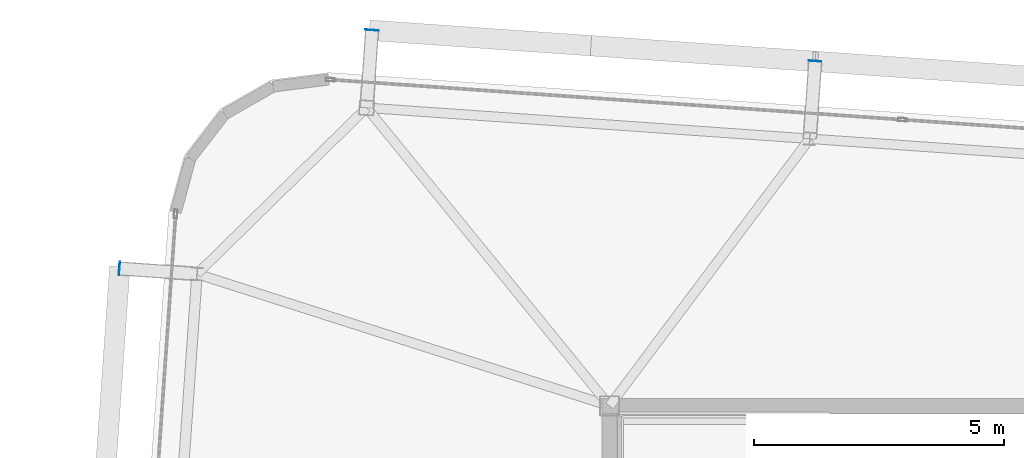
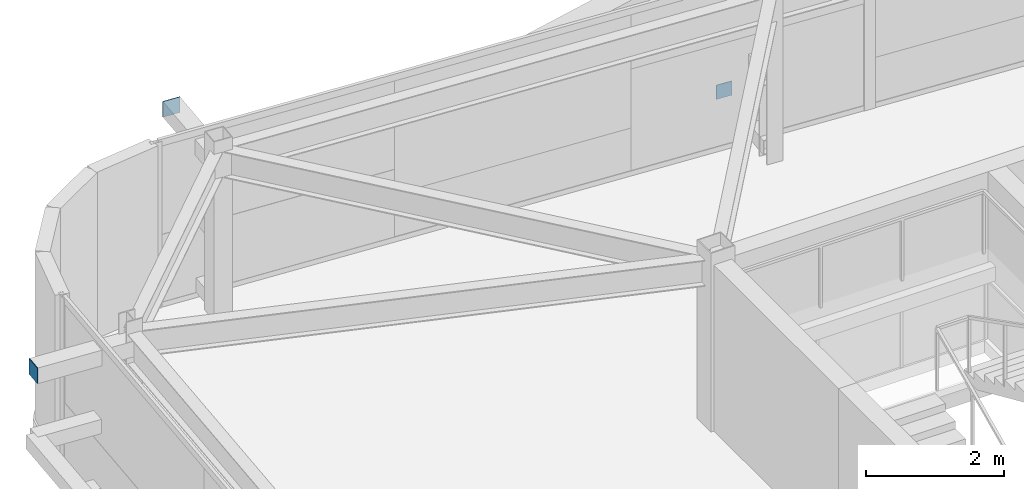
# One storey, part 32 of 39: 3 plates.
"""IFC4 building model written with IfcOpenShell, lengths in metres."""

from ifc_helpers import new_model, si_unit, direction, frame, origin, origin_2d, place, context, subcontext, project, spatial, rectangle, extrude, source, transform, mapped, material, layer, layer_set, type_object, element, save


model = new_model("IFC4")

# Units and contexts
model_context = context("Model", 3, precision=1e-05, world=origin(), true_north=direction((0.0, 1.0)))
body_context = subcontext(model_context, "Body", "Model", "MODEL_VIEW")
ifc_project = project(units=[si_unit("LENGTHUNIT", "METRE"), si_unit("AREAUNIT", "SQUARE_METRE"), si_unit("VOLUMEUNIT", "CUBIC_METRE"), si_unit("PLANEANGLEUNIT", "RADIAN"), si_unit("MASSUNIT", "GRAM", prefix="KILO")], contexts=[model_context])

# Site, building, storey
site_placement = place(None, origin())
site = spatial("IfcSite", under=ifc_project, at=site_placement, CompositionType="ELEMENT")
building_placement = place(site_placement, origin())
building = spatial("IfcBuilding", under=site, at=building_placement, Name="Taldren Reach Tower", CompositionType="ELEMENT")
storey_placement = place(building_placement, frame((0.0, 0.0, 120.39990234375)))
storey = spatial("IfcBuildingStorey", under=building, at=storey_placement, Name="L36", CompositionType="ELEMENT", Elevation=120.39990234375)

# Plates
ifc_material_1 = material(Name="Steel Gr 450 (C450L0)", Category="steel")
ifc_layer_1 = layer(ifc_material_1, 0.011962890625)
ifc_layer_set_1 = layer_set([ifc_layer_1], Name="Steel Gr 450 (C450L0)")
plate_type_1 = type_object("IfcPlateType", Name="PL-CAP-275", PredefinedType="SHEET", material=ifc_layer_set_1)
shared_shape_1 = source(origin(), body_context, "Body", "SweptSolid", [
    extrude(rectangle(XDim=0.27490234375, YDim=0.011962890625, at=origin_2d()), origin(), (0.0, 0.0, 1.0), 0.27490234375),
])
plate_1_placement = place(storey_placement, frame((14.253173828125, 39.510986328125, 2.5126953125), z_axis=(0.0, 0.0, 1.0), x_axis=(0.99756405026, -0.069756473744, 0.0)))
element("IfcPlate", 1, at=plate_1_placement, inside=storey, type_object=plate_type_1, Name="Tie strut end cap plate B3-N1 L36", PredefinedType="SHEET", context=body_context, shape_type="MappedRepresentation", body=[
    mapped(shared_shape_1, transform((0.0, 0.0, 0.0), scale=1.0)),
])
shared_shape_2 = source(origin(), body_context, "Body", "SweptSolid", [
    extrude(rectangle(XDim=0.011962890625, YDim=0.27490234375, at=origin_2d()), origin(), (0.0, 0.0, 1.0), 0.27490234375),
])
plate_2_placement = place(storey_placement, frame((9.202392578125, 34.74560546875, 2.5126953125), z_axis=(0.0, 0.0, 1.0), x_axis=(0.99756405026, -0.069756473744, 0.0)))
element("IfcPlate", 2, at=plate_2_placement, inside=storey, type_object=plate_type_1, Name="Tie strut end cap plate B3-W3 L36", PredefinedType="SHEET", context=body_context, shape_type="MappedRepresentation", body=[
    mapped(shared_shape_2, transform((0.0, 0.0, 0.0), scale=1.0)),
])
ifc_material_2 = material(Name="Steel Gr 350 (C350L0)", Category="steel")
ifc_layer_2 = layer(ifc_material_2, 0.011962890625)
ifc_layer_set_2 = layer_set([ifc_layer_2], Name="Steel Gr 350 (C350L0)")
plate_type_2 = type_object("IfcPlateType", Name="PL-CAP-250", PredefinedType="SHEET", material=ifc_layer_set_2)
shared_shape_3 = source(origin(), body_context, "Body", "SweptSolid", [
    extrude(rectangle(XDim=0.25, YDim=0.011962890625, at=origin_2d()), origin(), (0.0, 0.0, 1.0), 0.25),
])
plate_3_placement = place(storey_placement, frame((23.111572265625, 38.8916015625, 0.09521484375), z_axis=(0.0, 0.0, 1.0), x_axis=(0.99756405026, -0.069756473744, 0.0)))
element("IfcPlate", 3, at=plate_3_placement, inside=storey, type_object=plate_type_2, Name="Tie strut end cap plate B3-N2 L36", PredefinedType="SHEET", context=body_context, shape_type="MappedRepresentation", body=[
    mapped(shared_shape_3, transform((0.0, 0.0, 0.0), scale=1.0)),
])

save(model, "model.ifc")
